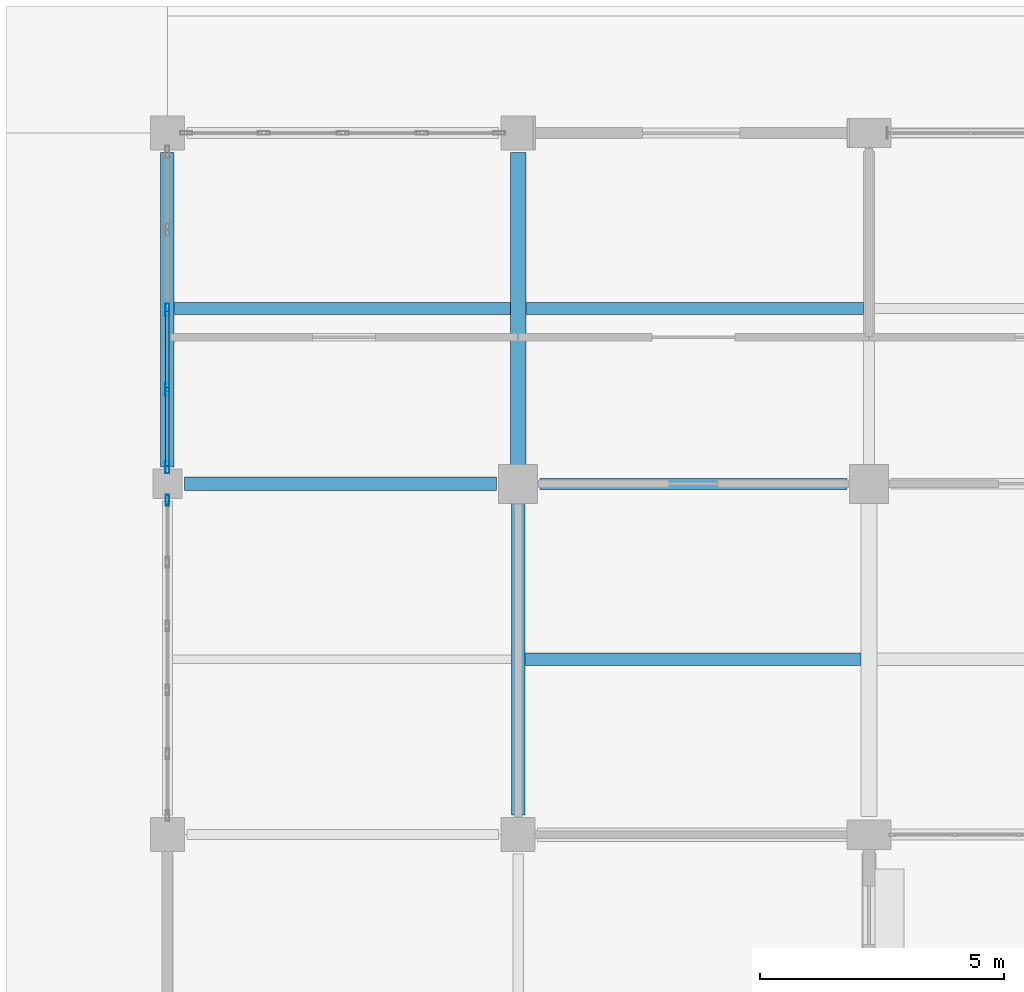
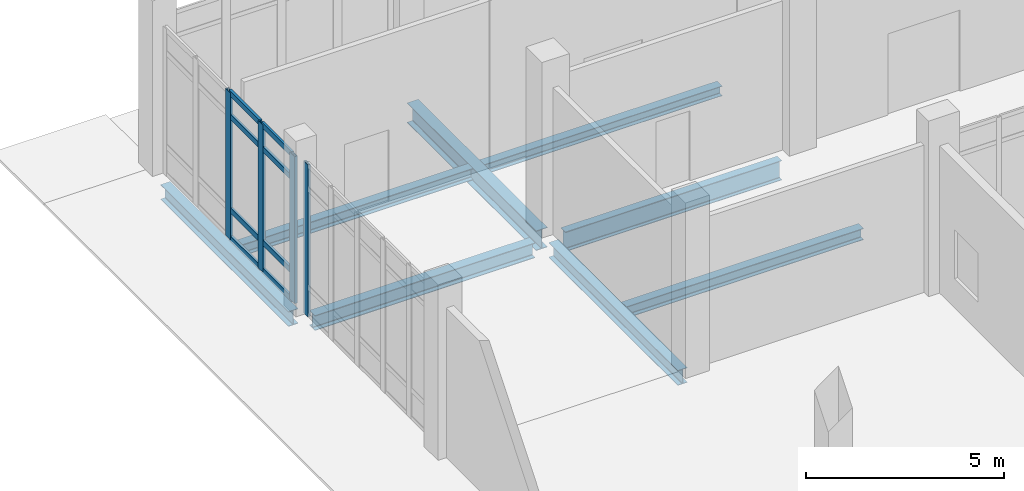
# One storey, part 83 of 229: 12 members, 8 beams, 2 elements without a shape of their own.
"""IFC4 building model written with IfcOpenShell, lengths in metres."""

import ifcopenshell
import ifcopenshell.guid

model = None  # the IFC model being written
_history = None  # IfcOwnerHistory: only IFC2X3 demands one
_inside = {}  # id of a spatial element -> (the spatial element, [elements in it])
_under = {}  # id of a project, library or spatial element -> (it, [spatial elements below it])
_declared = {}  # id of a project -> (the project, [libraries it declares])
_typed = {}  # id of a type object -> (the type object, [elements of that type])
_made_of = {}  # id of a material, layer set ... -> (it, [elements and type objects made of it])


def new_model(schema):
    """Start an empty IFC model of exactly this schema.

    Asked for "IFC4X3", IfcOpenShell would pick the latest addendum, in which some entities
    have other attributes; the version numbers below select the first issue.
    IFC2X3 requires an IfcOwnerHistory on every rooted entity: one is made here for all.
    """
    global model, _history
    if schema == "IFC4X3":
        model = ifcopenshell.file(schema_version=(4, 3, 0, 0))
    else:
        model = ifcopenshell.file(schema=schema)
    _inside.clear()
    _under.clear()
    _declared.clear()
    _typed.clear()
    _made_of.clear()
    _history = None
    if model.schema == "IFC2X3":
        org = make("IfcOrganization", Name="unknown")
        user = make(
            "IfcPersonAndOrganization",
            ThePerson=make("IfcPerson", FamilyName="unknown"),
            TheOrganization=org,
        )
        app = make(
            "IfcApplication",
            ApplicationDeveloper=org,
            Version="unknown",
            ApplicationFullName="unknown",
            ApplicationIdentifier="unknown",
        )
        _history = make(
            "IfcOwnerHistory",
            OwningUser=user,
            OwningApplication=app,
            ChangeAction="ADDED",
            CreationDate=0,
        )
    return model


def make(cls, **values):
    """One entity of the class cls with the attributes given. An attribute that is None is left unset."""
    return model.create_entity(
        cls, **{name: value for name, value in values.items() if value is not None}
    )


def rooted(cls, **values):
    """An entity with a GlobalId (a new one), such as an element, a storey or a relation."""
    return make(cls, GlobalId=ifcopenshell.guid.new(), OwnerHistory=_history, **values)


def si_unit(unit_type, name, prefix=None):
    """IfcSIUnit, for example si_unit("LENGTHUNIT", "METRE", prefix="MILLI")."""
    return make("IfcSIUnit", UnitType=unit_type, Prefix=prefix, Name=name)


def assignment(units):
    """IfcUnitAssignment: the units of a project."""
    return None if units is None else make("IfcUnitAssignment", Units=units)


def point(xyz):
    """IfcCartesianPoint."""
    return None if xyz is None else make("IfcCartesianPoint", Coordinates=xyz)


def direction(xyz):
    """IfcDirection."""
    return None if xyz is None else make("IfcDirection", DirectionRatios=xyz)


def frame(location, z_axis=None, x_axis=None):
    """IfcAxis2Placement3D, a coordinate frame: its origin and axes. An axis left out is left unset."""
    return make(
        "IfcAxis2Placement3D",
        Location=point(location),
        Axis=direction(z_axis),
        RefDirection=direction(x_axis),
    )


def frame_2d(location, x_axis=None):
    """IfcAxis2Placement2D, a coordinate frame in the plane: its origin and x axis."""
    return make(
        "IfcAxis2Placement2D", Location=point(location), RefDirection=direction(x_axis)
    )


def origin():
    """The frame at (0, 0, 0) with its axes left unset."""
    return frame((0.0, 0.0, 0.0))


def origin_2d():
    """The frame at (0, 0) in the plane with its x axis left unset."""
    return frame_2d((0.0, 0.0))


def place(relative_to, where):
    """IfcLocalPlacement: puts the frame where relative to a parent placement (None: the world)."""
    return make(
        "IfcLocalPlacement", PlacementRelTo=relative_to, RelativePlacement=where
    )


def context(
    kind, dimensions, precision=None, world=None, true_north=None, identifier=None
):
    """IfcGeometricRepresentationContext, for example the 3D "Model" context."""
    return make(
        "IfcGeometricRepresentationContext",
        ContextIdentifier=identifier,
        ContextType=kind,
        CoordinateSpaceDimension=dimensions,
        Precision=precision,
        WorldCoordinateSystem=world,
        TrueNorth=true_north,
    )


def subcontext(parent, identifier, kind, view, scale=None):
    """IfcGeometricRepresentationSubContext, for example "Body" below "Model"."""
    return make(
        "IfcGeometricRepresentationSubContext",
        ContextIdentifier=identifier,
        ContextType=kind,
        ParentContext=parent,
        TargetScale=scale,
        TargetView=view,
    )


def project(units=None, contexts=None):
    """IfcProject with its units and contexts."""
    return rooted(
        "IfcProject",
        Name="project",
        RepresentationContexts=contexts,
        UnitsInContext=assignment(units),
    )


def spatial(cls, under=None, at=None, **own):
    """A site, building, storey or space (cls), placed at a placement, below another one or the project."""
    s = rooted(cls, ObjectPlacement=at, **own)
    if under is not None:
        _under.setdefault(under.id(), (under, []))[1].append(s)
    return s


def profile(cls, at=None, kind="AREA", **sizes):
    """A parametric profile (cls). Its sizes go by their IFC names, for example OverallWidth=200.0."""
    return make(cls, ProfileType=kind, Position=at, **sizes)


def hollow_rectangle(**sizes):
    """IfcRectangleHollowProfileDef."""
    return profile("IfcRectangleHollowProfileDef", **sizes)


def i_section(**sizes):
    """IfcIShapeProfileDef."""
    return profile("IfcIShapeProfileDef", **sizes)


def extrude(swept, where, along, depth):
    """IfcExtrudedAreaSolid: the profile swept, set in the frame where, extruded along a direction by depth."""
    return make(
        "IfcExtrudedAreaSolid",
        SweptArea=swept,
        Position=where,
        ExtrudedDirection=direction(along),
        Depth=depth,
    )


def shape(context_of_items, identifier, shape_type, items):
    """IfcShapeRepresentation: the items that make up one representation, for example the "Body"."""
    return make(
        "IfcShapeRepresentation",
        ContextOfItems=context_of_items,
        RepresentationIdentifier=identifier,
        RepresentationType=shape_type,
        Items=items,
    )


def material(Name=None, Category=None):
    """IfcMaterial."""
    return make("IfcMaterial", Name=Name, Category=Category)


def layer(
    of_material, thickness, ventilated=None, Name=None, Category=None, Priority=None
):
    """IfcMaterialLayer: one layer of a wall or slab, of a material (None: an air gap)."""
    return make(
        "IfcMaterialLayer",
        Material=of_material,
        LayerThickness=thickness,
        IsVentilated=ventilated,
        Name=Name,
        Category=Category,
        Priority=Priority,
    )


def layer_set(layers, Name=None):
    """IfcMaterialLayerSet."""
    return make("IfcMaterialLayerSet", MaterialLayers=layers, LayerSetName=Name)


def material_profile(
    of_material, cross_section, Name=None, Category=None, Priority=None
):
    """IfcMaterialProfile: a cross section and its material."""
    return make(
        "IfcMaterialProfile",
        Name=Name,
        Material=of_material,
        Profile=cross_section,
        Priority=Priority,
        Category=Category,
    )


def profile_set(profiles, Name=None, composite=None):
    """IfcMaterialProfileSet."""
    return make(
        "IfcMaterialProfileSet",
        Name=Name,
        MaterialProfiles=profiles,
        CompositeProfile=composite,
    )


def made_of(thing, what):
    """Note that an element or type object is made of a material, layer set ...; save() writes the relation."""
    if what is not None:
        _made_of.setdefault(what.id(), (what, []))[1].append(thing)
    return thing


def type_object(cls, material=None, **own):
    """A type object (cls), such as IfcWallType, which elements share."""
    return made_of(rooted(cls, **own), material)


def element(
    cls,
    number,
    at=None,
    inside=None,
    cuts=None,
    type_object=None,
    material=None,
    context=None,
    identifier="Body",
    shape_type=None,
    held_by="IfcProductDefinitionShape",
    body=None,
    shapes=None,
    **own,
):
    """One element of the class cls, such as IfcWall. Its Tag is "e" and its number.

    at: its placement. inside: the storey or other place that contains it. cuts: it is an
    opening in that element (IfcRelVoidsElement). A single representation is given by context,
    identifier, shape_type and body (its items); several are given by shapes. held_by: the class
    of the entity that holds the representations. save() writes the other relations.
    """
    e = rooted(cls, Tag="e%d" % number, ObjectPlacement=at, **own)
    if body is not None:
        shapes = [shape(context, identifier, shape_type, body)]
    if shapes is not None:
        e.Representation = make(held_by, Representations=shapes)
    if inside is not None:
        _inside.setdefault(inside.id(), (inside, []))[1].append(e)
    if cuts is not None:
        rooted(
            "IfcRelVoidsElement", RelatingBuildingElement=cuts, RelatedOpeningElement=e
        )
    if type_object is not None:
        _typed.setdefault(type_object.id(), (type_object, []))[1].append(e)
    return made_of(e, material)


def aggregate(whole, parts):
    """IfcRelAggregates: a whole, such as a stair, and the parts it consists of."""
    return rooted("IfcRelAggregates", RelatingObject=whole, RelatedObjects=parts)


def save(model, path):
    """Write the relations noted so far, then the file.

    IfcRelAggregates (storeys below a building ...), IfcRelContainedInSpatialStructure (elements
    in a storey), IfcRelDefinesByType, IfcRelAssociatesMaterial and IfcRelDeclares: one each for
    every whole, place, type object, material and project.
    """
    for whole, parts in _under.values():
        aggregate(whole, parts)
    for where, things in _inside.values():
        rooted(
            "IfcRelContainedInSpatialStructure",
            RelatedElements=things,
            RelatingStructure=where,
        )
    for kind, things in _typed.values():
        rooted("IfcRelDefinesByType", RelatedObjects=things, RelatingType=kind)
    for what, things in _made_of.values():
        rooted("IfcRelAssociatesMaterial", RelatedObjects=things, RelatingMaterial=what)
    for by, libraries in _declared.values():
        rooted("IfcRelDeclares", RelatingContext=by, RelatedDefinitions=libraries)
    model.write(path)


model = new_model("IFC4")

# Units and contexts
model_context = context("Model", 3, precision=1e-05, world=origin(), true_north=direction((0.0, 1.0)))
body_context = subcontext(model_context, "Body", "Model", "MODEL_VIEW")
ifc_project = project(units=[si_unit("LENGTHUNIT", "METRE"), si_unit("AREAUNIT", "SQUARE_METRE"), si_unit("VOLUMEUNIT", "CUBIC_METRE"), si_unit("PLANEANGLEUNIT", "RADIAN"), si_unit("MASSUNIT", "GRAM", prefix="KILO")], contexts=[model_context])

# Site, building, storey
site_placement = place(None, origin())
site = spatial("IfcSite", under=ifc_project, at=site_placement, CompositionType="ELEMENT")
building_placement = place(site_placement, origin())
building = spatial("IfcBuilding", under=site, at=building_placement, Name="Calvrana Isthmian Art Gallery", CompositionType="ELEMENT")
storey_placement = place(building_placement, origin())
storey = spatial("IfcBuildingStorey", under=building, at=storey_placement, Name="L00", CompositionType="ELEMENT", Elevation=0.0)

# Beams
ifc_material_1 = material(Name="Steel ASTM A992 Gr 50", Category="steel")
ifc_material_profile_1 = material_profile(ifc_material_1, i_section(OverallWidth=0.279052734375, OverallDepth=0.4619140625, WebThickness=0.0107421875, FlangeThickness=0.017333984375, FilletRadius=0.02001953125, at=origin_2d()), Name="W18X76")
ifc_profile_set_1 = profile_set([ifc_material_profile_1], Name="Steel ASTM A992 Gr 50")
beam_type_1 = type_object("IfcBeamType", Name="BM-G-W18X76", PredefinedType="BEAM", material=ifc_profile_set_1)
beam_1_placement = place(storey_placement, frame((0.35009765625, 105.60009765625, -0.51611328125), z_axis=(1.0, 0.0, 0.0), x_axis=(0.0, 1.0, 0.0)))
element("IfcBeam", 1, at=beam_1_placement, inside=storey, type_object=beam_type_1, Name="Girder X L00 01-02/O", PredefinedType="BEAM", context=body_context, shape_type="SweptSolid", body=[
    extrude(i_section(OverallWidth=0.279052734375, OverallDepth=0.4619140625, WebThickness=0.0107421875, FlangeThickness=0.017333984375, FilletRadius=0.02001953125, at=origin_2d()), origin(), (0.0, 0.0, 1.0), 6.39990234375),
])
beam_2_placement = place(storey_placement, frame((0.0, 105.949951171875, -0.51611328125), z_axis=(0.0, 1.0, 0.0), x_axis=(-1.0, 0.0, 0.0)))
element("IfcBeam", 2, at=beam_2_placement, inside=storey, type_object=beam_type_1, Name="Girder Y L00 01/O-P", PredefinedType="BEAM", context=body_context, shape_type="SweptSolid", body=[
    extrude(i_section(OverallWidth=0.279052734375, OverallDepth=0.4619140625, WebThickness=0.0107421875, FlangeThickness=0.017333984375, FilletRadius=0.02001953125, at=origin_2d()), origin(), (0.0, 0.0, 1.0), 6.449951171875),
])
beam_3_placement = place(storey_placement, frame((7.199951171875, 98.800048828125, -0.51611328125), z_axis=(0.0, 1.0, 0.0), x_axis=(-1.0, 0.0, 0.0)))
element("IfcBeam", 3, at=beam_3_placement, inside=storey, type_object=beam_type_1, Name="Girder Y L00 02/N-O", PredefinedType="BEAM", context=body_context, shape_type="SweptSolid", body=[
    extrude(i_section(OverallWidth=0.279052734375, OverallDepth=0.4619140625, WebThickness=0.0107421875, FlangeThickness=0.017333984375, FilletRadius=0.02001953125, at=origin_2d()), origin(), (0.0, 0.0, 1.0), 6.5),
])
ifc_material_profile_2 = material_profile(ifc_material_1, i_section(OverallWidth=0.324951171875, OverallDepth=0.612060546875, WebThickness=0.0126953125, FlangeThickness=0.01904296875, FilletRadius=0.02197265625, at=origin_2d()), Name="W24X104")
ifc_profile_set_2 = profile_set([ifc_material_profile_2], Name="Steel ASTM A992 Gr 50")
beam_type_2 = type_object("IfcBeamType", Name="BM-G-W24X104", PredefinedType="BEAM", material=ifc_profile_set_2)
beam_4_placement = place(storey_placement, frame((7.199951171875, 105.89990234375, -0.591064453125), z_axis=(0.0, 1.0, 0.0), x_axis=(-1.0, 0.0, 0.0)))
element("IfcBeam", 4, at=beam_4_placement, inside=storey, type_object=beam_type_2, Name="Girder Y L00 02/O-P", PredefinedType="BEAM", context=body_context, shape_type="SweptSolid", body=[
    extrude(i_section(OverallWidth=0.324951171875, OverallDepth=0.612060546875, WebThickness=0.0126953125, FlangeThickness=0.01904296875, FilletRadius=0.02197265625, at=origin_2d()), origin(), (0.0, 0.0, 1.0), 6.5),
])
ifc_material_profile_3 = material_profile(ifc_material_1, i_section(OverallWidth=0.22802734375, OverallDepth=0.60693359375, WebThickness=0.01123046875, FlangeThickness=0.017333984375, FilletRadius=0.02197265625, at=origin_2d()), Name="W24X76")
ifc_profile_set_3 = profile_set([ifc_material_profile_3], Name="Steel ASTM A992 Gr 50")
beam_type_3 = type_object("IfcBeamType", Name="BM-G-W24X76", PredefinedType="BEAM", material=ifc_profile_set_3)
beam_5_placement = place(storey_placement, frame((7.64990234375, 105.60009765625, -0.58837890625), z_axis=(1.0, 0.0, 0.0), x_axis=(0.0, 1.0, 0.0)))
element("IfcBeam", 5, at=beam_5_placement, inside=storey, type_object=beam_type_3, Name="Girder X L00 02-03/O", PredefinedType="BEAM", context=body_context, shape_type="SweptSolid", body=[
    extrude(i_section(OverallWidth=0.22802734375, OverallDepth=0.60693359375, WebThickness=0.01123046875, FlangeThickness=0.017333984375, FilletRadius=0.02197265625, at=origin_2d()), origin(), (0.0, 0.0, 1.0), 6.300048828125),
])
ifc_material_profile_4 = material_profile(ifc_material_1, i_section(OverallWidth=0.25390625, OverallDepth=0.306884765625, WebThickness=0.0087890625, FlangeThickness=0.0146484375, FilletRadius=0.01611328125, at=origin_2d()), Name="W12X53")
ifc_profile_set_4 = profile_set([ifc_material_profile_4], Name="Steel ASTM A992 Gr 50")
beam_type_4 = type_object("IfcBeamType", Name="BM-J-W12X53", PredefinedType="JOIST", material=ifc_profile_set_4)
beam_6_placement = place(storey_placement, frame((7.362548828125, 109.199951171875, -0.4384765625), z_axis=(1.0, 0.0, 0.0), x_axis=(0.0, 1.0, 0.0)))
element("IfcBeam", 6, at=beam_6_placement, inside=storey, type_object=beam_type_4, Name="Composite joist L00 bay 01-14", PredefinedType="JOIST", context=body_context, shape_type="SweptSolid", body=[
    extrude(i_section(OverallWidth=0.25390625, OverallDepth=0.306884765625, WebThickness=0.0087890625, FlangeThickness=0.0146484375, FilletRadius=0.01611328125, at=origin_2d()), origin(), (0.0, 0.0, 1.0), 6.92333984375),
])
ifc_material_profile_5 = material_profile(ifc_material_1, i_section(OverallWidth=0.25390625, OverallDepth=0.35302734375, WebThickness=0.009521484375, FlangeThickness=0.016357421875, FilletRadius=0.01806640625, at=origin_2d()), Name="W14X61")
ifc_profile_set_5 = profile_set([ifc_material_profile_5], Name="Steel ASTM A992 Gr 50")
beam_type_5 = type_object("IfcBeamType", Name="BM-J-W14X61", PredefinedType="JOIST", material=ifc_profile_set_5)
beam_7_placement = place(storey_placement, frame((0.139404296875, 109.199951171875, -0.46142578125), z_axis=(1.0, 0.0, 0.0), x_axis=(0.0, 1.0, 0.0)))
element("IfcBeam", 7, at=beam_7_placement, inside=storey, type_object=beam_type_5, Name="Composite joist L00 bay 00-14", PredefinedType="JOIST", context=body_context, shape_type="SweptSolid", body=[
    extrude(i_section(OverallWidth=0.25390625, OverallDepth=0.35302734375, WebThickness=0.009521484375, FlangeThickness=0.016357421875, FilletRadius=0.01806640625, at=origin_2d()), origin(), (0.0, 0.0, 1.0), 6.898193359375),
])
beam_8_placement = place(storey_placement, frame((7.339599609375, 102.0, -0.46142578125), z_axis=(1.0, 0.0, 0.0), x_axis=(0.0, 1.0, 0.0)))
element("IfcBeam", 8, at=beam_8_placement, inside=storey, type_object=beam_type_5, Name="Composite joist L00 bay 01-13", PredefinedType="JOIST", context=body_context, shape_type="SweptSolid", body=[
    extrude(i_section(OverallWidth=0.25390625, OverallDepth=0.35302734375, WebThickness=0.009521484375, FlangeThickness=0.016357421875, FilletRadius=0.01806640625, at=origin_2d()), origin(), (0.0, 0.0, 1.0), 6.89794921875),
])

# Curtain wall, member
ifc_material_2 = material(Name="Anodized bronze aluminium 6063-T6", Category="aluminium")
ifc_layer_1 = layer(ifc_material_2, 0.179931640625, Name="Anodized bronze aluminium 6063-T6")
ifc_layer_set_1 = layer_set([ifc_layer_1], Name="Anodized bronze aluminium 6063-T6")
curtain_wall_type_1 = type_object("IfcCurtainWallType", Name="CW-UNIT-065X47", PredefinedType="USERDEFINED", material=ifc_layer_set_1)
curtain_wall_1_placement = place(storey_placement, origin())
curtain_wall_1 = element("IfcCurtainWall", 9, at=curtain_wall_1_placement, inside=storey, type_object=curtain_wall_type_1, Name="Curtain wall CW-052", ObjectType="UNITISED CURTAIN WALL", PredefinedType="USERDEFINED")
ifc_material_profile_6 = material_profile(ifc_material_2, hollow_rectangle(XDim=0.074951171875, YDim=0.219970703125, WallThickness=0.0048828125, at=origin_2d()), Name="CWM75X220")
ifc_profile_set_6 = profile_set([ifc_material_profile_6], Name="Anodized bronze aluminium 6063-T6")
member_type_1 = type_object("IfcMemberType", Name="CWM-CWM75X220", PredefinedType="MULLION", material=ifc_profile_set_6)
member_1_placement = place(storey_placement, frame((0.0, 105.262451171875, 0.0), z_axis=(0.0, 0.0, 1.0), x_axis=(-1.0, 0.0, 0.0)))
member_1 = element("IfcMember", 10, at=member_1_placement, type_object=member_type_1, Name="CW-052 mullion 6", PredefinedType="MULLION", context=body_context, shape_type="SweptSolid", body=[
    extrude(hollow_rectangle(XDim=0.074951171875, YDim=0.219970703125, WallThickness=0.0048828125, at=origin_2d()), origin(), (0.0, 0.0, 1.0), 4.677978515625),
])
aggregate(curtain_wall_1, [member_1])

# Curtain wall, members
ifc_layer_2 = layer(ifc_material_2, 0.179931640625, Name="Anodized bronze aluminium 6063-T6")
ifc_layer_set_2 = layer_set([ifc_layer_2], Name="Anodized bronze aluminium 6063-T6")
curtain_wall_type_2 = type_object("IfcCurtainWallType", Name="CW-UNIT-065X45", PredefinedType="USERDEFINED", material=ifc_layer_set_2)
curtain_wall_2_placement = place(storey_placement, origin())
curtain_wall_2 = element("IfcCurtainWall", 11, at=curtain_wall_2_placement, inside=storey, type_object=curtain_wall_type_2, Name="Curtain wall CW-053", ObjectType="UNITISED CURTAIN WALL", PredefinedType="USERDEFINED")
ifc_material_profile_7 = material_profile(ifc_material_2, hollow_rectangle(XDim=0.080078125, YDim=0.25, WallThickness=0.005615234375, at=origin_2d()), Name="CWM80X250")
ifc_profile_set_7 = profile_set([ifc_material_profile_7], Name="Anodized bronze aluminium 6063-T6")
member_type_2 = type_object("IfcMemberType", Name="CWM-CWM80X250", PredefinedType="MULLION", material=ifc_profile_set_7)
member_2_placement = place(storey_placement, frame((0.0, 105.93994140625, 0.0), z_axis=(0.0, 0.0, 1.0), x_axis=(-1.0, 0.0, 0.0)))
member_2 = element("IfcMember", 12, at=member_2_placement, type_object=member_type_2, Name="CW-053 mullion 1", PredefinedType="MULLION", context=body_context, shape_type="SweptSolid", body=[
    extrude(hollow_rectangle(XDim=0.080078125, YDim=0.25, WallThickness=0.005615234375, at=origin_2d()), origin(), (0.0, 0.0, 1.0), 4.528076171875),
])
member_3_placement = place(storey_placement, frame((0.0, 107.53759765625, 0.0), z_axis=(0.0, 0.0, 1.0), x_axis=(-1.0, 0.0, 0.0)))
member_3 = element("IfcMember", 13, at=member_3_placement, type_object=member_type_2, Name="CW-053 mullion 2", PredefinedType="MULLION", context=body_context, shape_type="SweptSolid", body=[
    extrude(hollow_rectangle(XDim=0.080078125, YDim=0.25, WallThickness=0.005615234375, at=origin_2d()), origin(), (0.0, 0.0, 1.0), 4.528076171875),
])
member_4_placement = place(storey_placement, frame((0.0, 109.175048828125, 0.0), z_axis=(0.0, 0.0, 1.0), x_axis=(-1.0, 0.0, 0.0)))
member_4 = element("IfcMember", 14, at=member_4_placement, type_object=member_type_2, Name="CW-053 mullion 3", PredefinedType="MULLION", context=body_context, shape_type="SweptSolid", body=[
    extrude(hollow_rectangle(XDim=0.080078125, YDim=0.25, WallThickness=0.005615234375, at=origin_2d()), origin(), (0.0, 0.0, 1.0), 4.528076171875),
])
ifc_material_profile_8 = material_profile(ifc_material_2, hollow_rectangle(XDim=0.070068359375, YDim=0.169921875, WallThickness=0.00439453125, at=origin_2d()), Name="CWT70X170")
ifc_profile_set_8 = profile_set([ifc_material_profile_8], Name="Anodized bronze aluminium 6063-T6")
member_type_3 = type_object("IfcMemberType", Name="CWT-CWT70X170", PredefinedType="USERDEFINED", material=ifc_profile_set_8)
member_5_placement = place(storey_placement, frame((0.0, 105.97998046875, 0.034912109375), z_axis=(0.0, 1.0, 0.0), x_axis=(-1.0, 0.0, 0.0)))
member_5 = element("IfcMember", 15, at=member_5_placement, type_object=member_type_3, Name="CW-053 transom 1.1", ObjectType="TRANSOM", PredefinedType="USERDEFINED", context=body_context, shape_type="SweptSolid", body=[
    extrude(hollow_rectangle(XDim=0.070068359375, YDim=0.169921875, WallThickness=0.00439453125, at=origin_2d()), origin(), (0.0, 0.0, 1.0), 1.517578125),
])
member_6_placement = place(storey_placement, frame((0.0, 105.97998046875, 0.89990234375), z_axis=(0.0, 1.0, 0.0), x_axis=(-1.0, 0.0, 0.0)))
member_6 = element("IfcMember", 16, at=member_6_placement, type_object=member_type_3, Name="CW-053 transom 1.2", ObjectType="TRANSOM", PredefinedType="USERDEFINED", context=body_context, shape_type="SweptSolid", body=[
    extrude(hollow_rectangle(XDim=0.070068359375, YDim=0.169921875, WallThickness=0.00439453125, at=origin_2d()), origin(), (0.0, 0.0, 1.0), 1.517578125),
])
member_7_placement = place(storey_placement, frame((0.0, 105.97998046875, 3.778076171875), z_axis=(0.0, 1.0, 0.0), x_axis=(-1.0, 0.0, 0.0)))
member_7 = element("IfcMember", 17, at=member_7_placement, type_object=member_type_3, Name="CW-053 transom 1.3", ObjectType="TRANSOM", PredefinedType="USERDEFINED", context=body_context, shape_type="SweptSolid", body=[
    extrude(hollow_rectangle(XDim=0.070068359375, YDim=0.169921875, WallThickness=0.00439453125, at=origin_2d()), origin(), (0.0, 0.0, 1.0), 1.517578125),
])
member_8_placement = place(storey_placement, frame((0.0, 105.97998046875, 4.492919921875), z_axis=(0.0, 1.0, 0.0), x_axis=(-1.0, 0.0, 0.0)))
member_8 = element("IfcMember", 18, at=member_8_placement, type_object=member_type_3, Name="CW-053 transom 1.4", ObjectType="TRANSOM", PredefinedType="USERDEFINED", context=body_context, shape_type="SweptSolid", body=[
    extrude(hollow_rectangle(XDim=0.070068359375, YDim=0.169921875, WallThickness=0.00439453125, at=origin_2d()), origin(), (0.0, 0.0, 1.0), 1.517578125),
])
member_9_placement = place(storey_placement, frame((0.0, 107.577392578125, 0.034912109375), z_axis=(0.0, 1.0, 0.0), x_axis=(-1.0, 0.0, 0.0)))
member_9 = element("IfcMember", 19, at=member_9_placement, type_object=member_type_3, Name="CW-053 transom 2.1", ObjectType="TRANSOM", PredefinedType="USERDEFINED", context=body_context, shape_type="SweptSolid", body=[
    extrude(hollow_rectangle(XDim=0.070068359375, YDim=0.169921875, WallThickness=0.00439453125, at=origin_2d()), origin(), (0.0, 0.0, 1.0), 1.5576171875),
])
member_10_placement = place(storey_placement, frame((0.0, 107.577392578125, 0.89990234375), z_axis=(0.0, 1.0, 0.0), x_axis=(-1.0, 0.0, 0.0)))
member_10 = element("IfcMember", 20, at=member_10_placement, type_object=member_type_3, Name="CW-053 transom 2.2", ObjectType="TRANSOM", PredefinedType="USERDEFINED", context=body_context, shape_type="SweptSolid", body=[
    extrude(hollow_rectangle(XDim=0.070068359375, YDim=0.169921875, WallThickness=0.00439453125, at=origin_2d()), origin(), (0.0, 0.0, 1.0), 1.5576171875),
])
member_11_placement = place(storey_placement, frame((0.0, 107.577392578125, 3.778076171875), z_axis=(0.0, 1.0, 0.0), x_axis=(-1.0, 0.0, 0.0)))
member_11 = element("IfcMember", 21, at=member_11_placement, type_object=member_type_3, Name="CW-053 transom 2.3", ObjectType="TRANSOM", PredefinedType="USERDEFINED", context=body_context, shape_type="SweptSolid", body=[
    extrude(hollow_rectangle(XDim=0.070068359375, YDim=0.169921875, WallThickness=0.00439453125, at=origin_2d()), origin(), (0.0, 0.0, 1.0), 1.5576171875),
])
member_12_placement = place(storey_placement, frame((0.0, 107.577392578125, 4.492919921875), z_axis=(0.0, 1.0, 0.0), x_axis=(-1.0, 0.0, 0.0)))
member_12 = element("IfcMember", 22, at=member_12_placement, type_object=member_type_3, Name="CW-053 transom 2.4", ObjectType="TRANSOM", PredefinedType="USERDEFINED", context=body_context, shape_type="SweptSolid", body=[
    extrude(hollow_rectangle(XDim=0.070068359375, YDim=0.169921875, WallThickness=0.00439453125, at=origin_2d()), origin(), (0.0, 0.0, 1.0), 1.5576171875),
])
aggregate(curtain_wall_2, [member_2, member_3, member_4, member_5, member_6, member_7, member_8, member_9, member_10, member_11, member_12])

save(model, "model.ifc")
